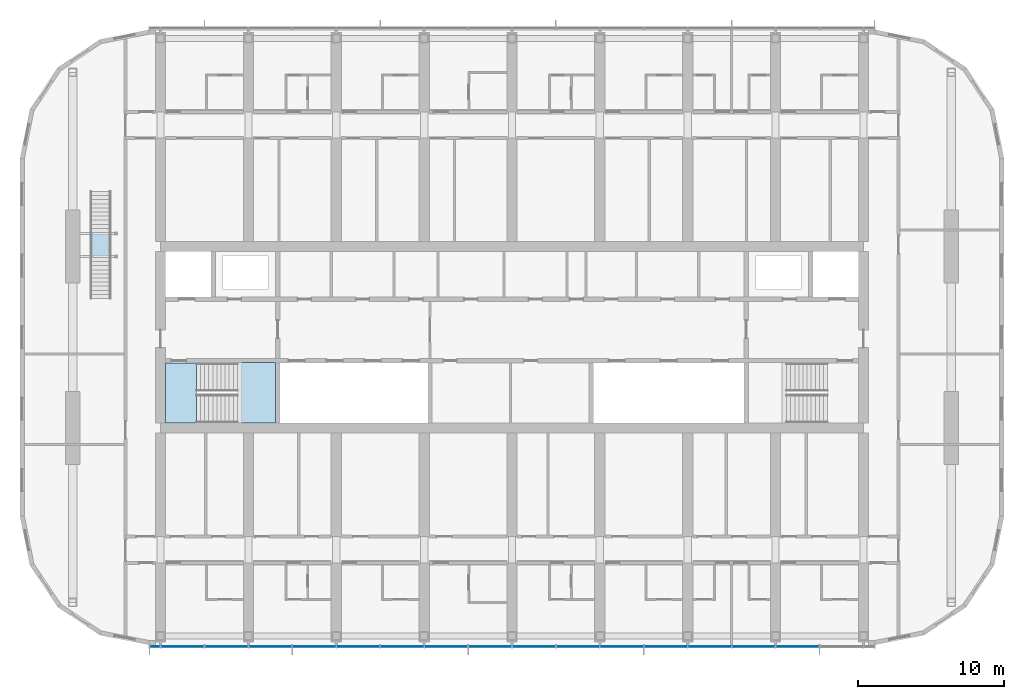
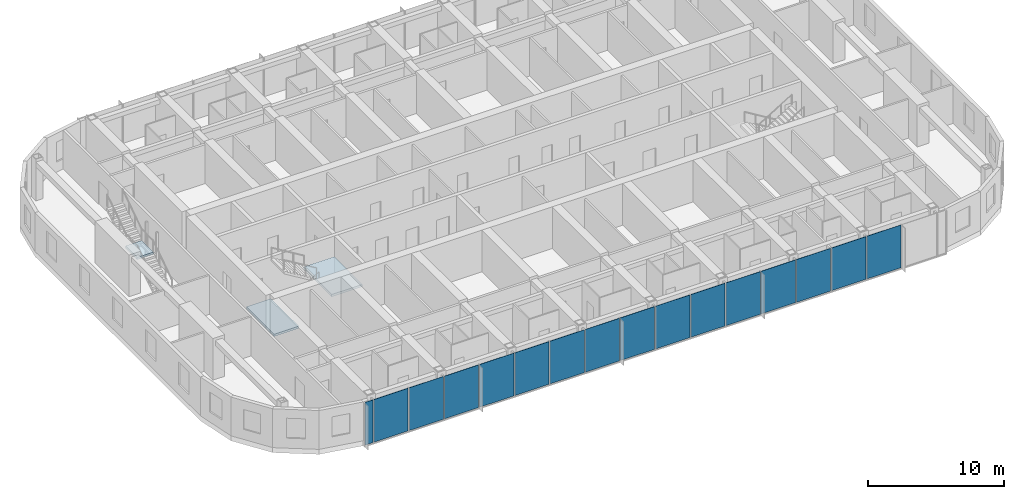
# One storey, part 9 of 28: 16 plates, 3 slabs, 3 elements without a shape of their own.
"""IFC4 building model written with IfcOpenShell, lengths in metres."""

from ifc_helpers import new_model, si_unit, direction, frame, origin, origin_2d, place, context, subcontext, project, spatial, polyline, rectangle, outline, extrude, material, layer, layer_set, type_object, element, aggregate, save


model = new_model("IFC4")

# Units and contexts
model_context = context("Model", 3, precision=1e-05, world=origin(), true_north=direction((0.0, 1.0)))
body_context = subcontext(model_context, "Body", "Model", "MODEL_VIEW")
ifc_project = project(units=[si_unit("LENGTHUNIT", "METRE"), si_unit("AREAUNIT", "SQUARE_METRE"), si_unit("VOLUMEUNIT", "CUBIC_METRE"), si_unit("PLANEANGLEUNIT", "RADIAN"), si_unit("MASSUNIT", "GRAM", prefix="KILO")], contexts=[model_context])

# Site, building, storey
site_placement = place(None, origin())
site = spatial("IfcSite", under=ifc_project, at=site_placement, CompositionType="ELEMENT")
building_placement = place(site_placement, origin())
building = spatial("IfcBuilding", under=site, at=building_placement, Name="Orbita Commons", CompositionType="ELEMENT")
storey_placement = place(building_placement, frame((0.0, 0.0, 216.550048828125)))
storey = spatial("IfcBuildingStorey", under=building, at=storey_placement, Name="L53", CompositionType="ELEMENT", Elevation=216.550048828125)

# Stair, slab
ifc_material_1 = material(Name="Steel ASTM A992 stringers, precast concrete C40/50 terrazzo treads", Category="concrete")
stair_type_1 = type_object("IfcStairType", Name="Feature stair 22 risers 170 x 280 x 1400", PredefinedType="STRAIGHT_RUN_STAIR", material=ifc_material_1)
stair_1_placement = place(storey_placement, origin())
stair_1 = element("IfcStair", 1, at=stair_1_placement, inside=storey, type_object=stair_type_1, Name="Neighbourhood stair L53 to L54", PredefinedType="STRAIGHT_RUN_STAIR")
ifc_material_2 = material(Name="Concrete C40/50", Category="concrete")
ifc_layer_1 = layer(ifc_material_2, 0.199951171875)
ifc_layer_set_1 = layer_set([ifc_layer_1], Name="Concrete C40/50")
slab_type_1 = type_object("IfcSlabType", Name="Feature stair landing 200", PredefinedType="LANDING", material=ifc_layer_set_1)
slab_1_placement = place(storey_placement, frame((0.0, 0.0, 1.675048828125)))
slab_1 = element("IfcSlab", 2, at=slab_1_placement, type_object=slab_type_1, Name="FS landing 1", PredefinedType="LANDING", context=body_context, shape_type="SweptSolid", body=[
    extrude(outline(polyline([(13.199951171875, 37.449951171875), (14.60009765625, 37.449951171875), (14.60009765625, 39.159912109375), (13.199951171875, 39.159912109375), (13.199951171875, 37.449951171875)])), origin(), (0.0, 0.0, 1.0), 0.199951171875),
])
aggregate(stair_1, [slab_1])

# Curtain wall, plates
ifc_material_3 = material(Name="Anodised aluminium frame, pale silver", Category="aluminium")
curtain_wall_type = type_object("IfcCurtainWallType", Name="Unitised curtain wall CW-U, full-height vision", PredefinedType="NOTDEFINED", material=ifc_material_3)
curtain_wall_placement = place(storey_placement, origin())
curtain_wall = element("IfcCurtainWall", 3, at=curtain_wall_placement, inside=storey, type_object=curtain_wall_type, Name="Curtain wall south L53", PredefinedType="NOTDEFINED")
ifc_material_4 = material(Name="Clear double glazing", Category="glass")
ifc_layer_2 = layer(ifc_material_4, 0.031982421875)
ifc_layer_set_2 = layer_set([ifc_layer_2], Name="Clear double glazing")
plate_type = type_object("IfcPlateType", Name="Full-height vision panel, clear glazing 32", PredefinedType="CURTAIN_PANEL", material=ifc_layer_set_2)
plate_1_placement = place(storey_placement, frame((17.6201171875, 10.889892578125, -0.35009765625), z_axis=(0.0, 0.0, 1.0), x_axis=(1.0, 0.0, 0.0)))
plate_1 = element("IfcPlate", 4, at=plate_1_placement, type_object=plate_type, Name="Panel 1.1 CW-L53-S", PredefinedType="CURTAIN_PANEL", context=body_context, shape_type="SweptSolid", body=[
    extrude(rectangle(XDim=0.679931640625, YDim=0.031982421875, at=origin_2d()), origin(), (0.0, 0.0, 1.0), 3.85009765625),
])
plate_2_placement = place(storey_placement, frame((19.5, 10.889892578125, -0.35009765625), z_axis=(0.0, 0.0, 1.0), x_axis=(1.0, 0.0, 0.0)))
plate_2 = element("IfcPlate", 5, at=plate_2_placement, type_object=plate_type, Name="Panel 2.1 CW-L53-S", PredefinedType="CURTAIN_PANEL", context=body_context, shape_type="SweptSolid", body=[
    extrude(rectangle(XDim=2.919921875, YDim=0.031982421875, at=origin_2d()), origin(), (0.0, 0.0, 1.0), 3.85009765625),
])
plate_3_placement = place(storey_placement, frame((22.5, 10.889892578125, -0.35009765625), z_axis=(0.0, 0.0, 1.0), x_axis=(1.0, 0.0, 0.0)))
plate_3 = element("IfcPlate", 6, at=plate_3_placement, type_object=plate_type, Name="Panel 3.1 CW-L53-S", PredefinedType="CURTAIN_PANEL", context=body_context, shape_type="SweptSolid", body=[
    extrude(rectangle(XDim=2.919921875, YDim=0.031982421875, at=origin_2d()), origin(), (0.0, 0.0, 1.0), 3.85009765625),
])
plate_4_placement = place(storey_placement, frame((25.5, 10.889892578125, -0.35009765625), z_axis=(0.0, 0.0, 1.0), x_axis=(1.0, 0.0, 0.0)))
plate_4 = element("IfcPlate", 7, at=plate_4_placement, type_object=plate_type, Name="Panel 4.1 CW-L53-S", PredefinedType="CURTAIN_PANEL", context=body_context, shape_type="SweptSolid", body=[
    extrude(rectangle(XDim=2.919921875, YDim=0.031982421875, at=origin_2d()), origin(), (0.0, 0.0, 1.0), 3.85009765625),
])
plate_5_placement = place(storey_placement, frame((28.5, 10.889892578125, -0.35009765625), z_axis=(0.0, 0.0, 1.0), x_axis=(1.0, 0.0, 0.0)))
plate_5 = element("IfcPlate", 8, at=plate_5_placement, type_object=plate_type, Name="Panel 5.1 CW-L53-S", PredefinedType="CURTAIN_PANEL", context=body_context, shape_type="SweptSolid", body=[
    extrude(rectangle(XDim=2.919921875, YDim=0.031982421875, at=origin_2d()), origin(), (0.0, 0.0, 1.0), 3.85009765625),
])
plate_6_placement = place(storey_placement, frame((31.5, 10.889892578125, -0.35009765625), z_axis=(0.0, 0.0, 1.0), x_axis=(1.0, 0.0, 0.0)))
plate_6 = element("IfcPlate", 9, at=plate_6_placement, type_object=plate_type, Name="Panel 6.1 CW-L53-S", PredefinedType="CURTAIN_PANEL", context=body_context, shape_type="SweptSolid", body=[
    extrude(rectangle(XDim=2.919921875, YDim=0.031982421875, at=origin_2d()), origin(), (0.0, 0.0, 1.0), 3.85009765625),
])
plate_7_placement = place(storey_placement, frame((34.5, 10.889892578125, -0.35009765625), z_axis=(0.0, 0.0, 1.0), x_axis=(1.0, 0.0, 0.0)))
plate_7 = element("IfcPlate", 10, at=plate_7_placement, type_object=plate_type, Name="Panel 7.1 CW-L53-S", PredefinedType="CURTAIN_PANEL", context=body_context, shape_type="SweptSolid", body=[
    extrude(rectangle(XDim=2.919921875, YDim=0.031982421875, at=origin_2d()), origin(), (0.0, 0.0, 1.0), 3.85009765625),
])
plate_8_placement = place(storey_placement, frame((37.5, 10.889892578125, -0.35009765625), z_axis=(0.0, 0.0, 1.0), x_axis=(1.0, 0.0, 0.0)))
plate_8 = element("IfcPlate", 11, at=plate_8_placement, type_object=plate_type, Name="Panel 8.1 CW-L53-S", PredefinedType="CURTAIN_PANEL", context=body_context, shape_type="SweptSolid", body=[
    extrude(rectangle(XDim=2.919921875, YDim=0.031982421875, at=origin_2d()), origin(), (0.0, 0.0, 1.0), 3.85009765625),
])
plate_9_placement = place(storey_placement, frame((40.5, 10.889892578125, -0.35009765625), z_axis=(0.0, 0.0, 1.0), x_axis=(1.0, 0.0, 0.0)))
plate_9 = element("IfcPlate", 12, at=plate_9_placement, type_object=plate_type, Name="Panel 9.1 CW-L53-S", PredefinedType="CURTAIN_PANEL", context=body_context, shape_type="SweptSolid", body=[
    extrude(rectangle(XDim=2.919921875, YDim=0.031982421875, at=origin_2d()), origin(), (0.0, 0.0, 1.0), 3.85009765625),
])
plate_10_placement = place(storey_placement, frame((43.5, 10.889892578125, -0.35009765625), z_axis=(0.0, 0.0, 1.0), x_axis=(1.0, 0.0, 0.0)))
plate_10 = element("IfcPlate", 13, at=plate_10_placement, type_object=plate_type, Name="Panel 10.1 CW-L53-S", PredefinedType="CURTAIN_PANEL", context=body_context, shape_type="SweptSolid", body=[
    extrude(rectangle(XDim=2.919921875, YDim=0.031982421875, at=origin_2d()), origin(), (0.0, 0.0, 1.0), 3.85009765625),
])
plate_11_placement = place(storey_placement, frame((46.5, 10.889892578125, -0.35009765625), z_axis=(0.0, 0.0, 1.0), x_axis=(1.0, 0.0, 0.0)))
plate_11 = element("IfcPlate", 14, at=plate_11_placement, type_object=plate_type, Name="Panel 11.1 CW-L53-S", PredefinedType="CURTAIN_PANEL", context=body_context, shape_type="SweptSolid", body=[
    extrude(rectangle(XDim=2.919921875, YDim=0.031982421875, at=origin_2d()), origin(), (0.0, 0.0, 1.0), 3.85009765625),
])
plate_12_placement = place(storey_placement, frame((49.5, 10.889892578125, -0.35009765625), z_axis=(0.0, 0.0, 1.0), x_axis=(1.0, 0.0, 0.0)))
plate_12 = element("IfcPlate", 15, at=plate_12_placement, type_object=plate_type, Name="Panel 12.1 CW-L53-S", PredefinedType="CURTAIN_PANEL", context=body_context, shape_type="SweptSolid", body=[
    extrude(rectangle(XDim=2.919921875, YDim=0.031982421875, at=origin_2d()), origin(), (0.0, 0.0, 1.0), 3.85009765625),
])
plate_13_placement = place(storey_placement, frame((52.5, 10.889892578125, -0.35009765625), z_axis=(0.0, 0.0, 1.0), x_axis=(1.0, 0.0, 0.0)))
plate_13 = element("IfcPlate", 16, at=plate_13_placement, type_object=plate_type, Name="Panel 13.1 CW-L53-S", PredefinedType="CURTAIN_PANEL", context=body_context, shape_type="SweptSolid", body=[
    extrude(rectangle(XDim=2.919921875, YDim=0.031982421875, at=origin_2d()), origin(), (0.0, 0.0, 1.0), 3.85009765625),
])
plate_14_placement = place(storey_placement, frame((55.5, 10.889892578125, -0.35009765625), z_axis=(0.0, 0.0, 1.0), x_axis=(1.0, 0.0, 0.0)))
plate_14 = element("IfcPlate", 17, at=plate_14_placement, type_object=plate_type, Name="Panel 14.1 CW-L53-S", PredefinedType="CURTAIN_PANEL", context=body_context, shape_type="SweptSolid", body=[
    extrude(rectangle(XDim=2.919921875, YDim=0.031982421875, at=origin_2d()), origin(), (0.0, 0.0, 1.0), 3.85009765625),
])
plate_15_placement = place(storey_placement, frame((58.5, 10.889892578125, -0.35009765625), z_axis=(0.0, 0.0, 1.0), x_axis=(1.0, 0.0, 0.0)))
plate_15 = element("IfcPlate", 18, at=plate_15_placement, type_object=plate_type, Name="Panel 15.1 CW-L53-S", PredefinedType="CURTAIN_PANEL", context=body_context, shape_type="SweptSolid", body=[
    extrude(rectangle(XDim=2.919921875, YDim=0.031982421875, at=origin_2d()), origin(), (0.0, 0.0, 1.0), 3.85009765625),
])
plate_16_placement = place(storey_placement, frame((61.5, 10.889892578125, -0.35009765625), z_axis=(0.0, 0.0, 1.0), x_axis=(1.0, 0.0, 0.0)))
plate_16 = element("IfcPlate", 19, at=plate_16_placement, type_object=plate_type, Name="Panel 16.1 CW-L53-S", PredefinedType="CURTAIN_PANEL", context=body_context, shape_type="SweptSolid", body=[
    extrude(rectangle(XDim=2.919921875, YDim=0.031982421875, at=origin_2d()), origin(), (0.0, 0.0, 1.0), 3.85009765625),
])
aggregate(curtain_wall, [plate_1, plate_2, plate_3, plate_4, plate_5, plate_6, plate_7, plate_8, plate_9, plate_10, plate_11, plate_12, plate_13, plate_14, plate_15, plate_16])

# Stair, slabs
ifc_material_5 = material(Name="Precast concrete C40/50", Category="concrete")
stair_type_2 = type_object("IfcStairType", Name="Exit stair S1 2 flights 11 risers 170", PredefinedType="HALF_TURN_STAIR", material=ifc_material_5)
stair_2_placement = place(storey_placement, origin())
stair_2 = element("IfcStair", 20, at=stair_2_placement, inside=storey, type_object=stair_type_2, Name="Exit stair S1 L53", PredefinedType="HALF_TURN_STAIR")
ifc_material_6 = material(Name="Concrete C40/50", Category="concrete")
ifc_layer_3 = layer(ifc_material_6, 0.199951171875)
ifc_layer_set_3 = layer_set([ifc_layer_3], Name="Concrete C40/50")
slab_type_2 = type_object("IfcSlabType", Name="Stair landing 200", PredefinedType="LANDING", material=ifc_layer_set_3)
slab_2_placement = place(storey_placement, frame((0.0, 0.0, -0.199951171875)))
slab_2 = element("IfcSlab", 21, at=slab_2_placement, type_object=slab_type_2, Name="S1 landing 1", PredefinedType="LANDING", context=body_context, shape_type="SweptSolid", body=[
    extrude(outline(polyline([(18.35009765625, 26.14990234375), (20.449951171875, 26.14990234375), (20.449951171875, 30.25), (18.35009765625, 30.25), (18.35009765625, 26.14990234375)])), origin(), (0.0, 0.0, 1.0), 0.199951171875),
])
slab_3_placement = place(storey_placement, frame((0.0, 0.0, 1.675048828125)))
slab_3 = element("IfcSlab", 22, at=slab_3_placement, type_object=slab_type_2, Name="S1 landing 2", PredefinedType="LANDING", context=body_context, shape_type="SweptSolid", body=[
    extrude(outline(polyline([(23.25, 26.135009765625), (25.864990234375, 26.135009765625), (25.864990234375, 30.264892578125), (23.25, 30.264892578125), (23.25, 26.135009765625)])), origin(), (0.0, 0.0, 1.0), 0.199951171875),
])
aggregate(stair_2, [slab_2, slab_3])

save(model, "model.ifc")
